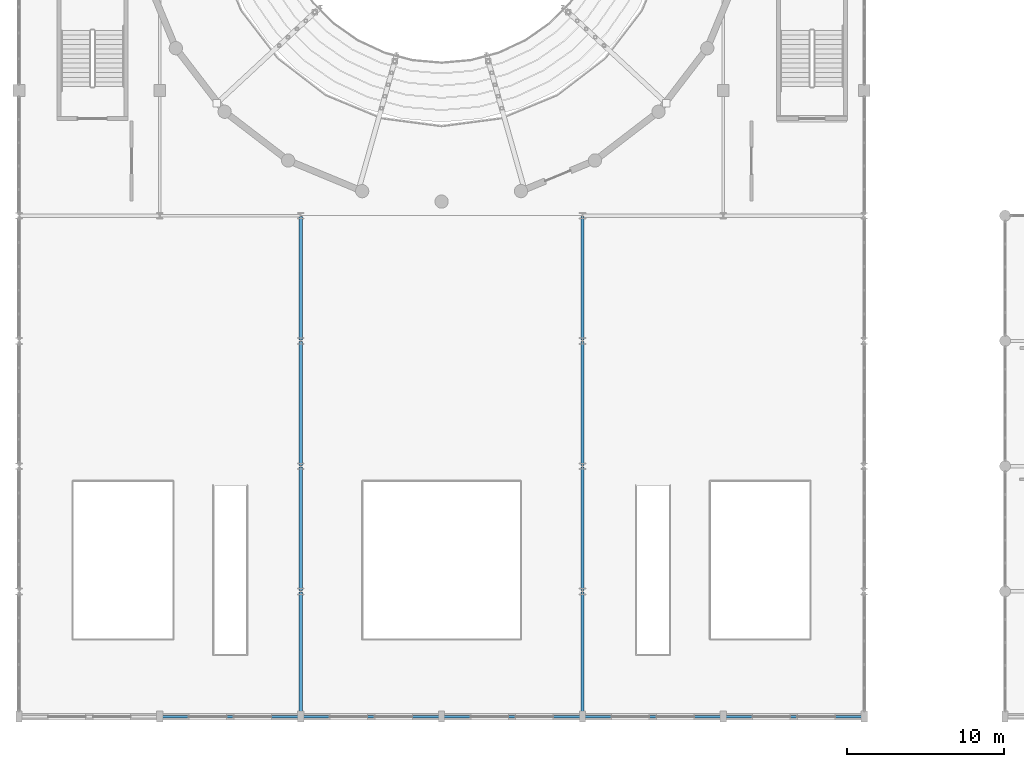
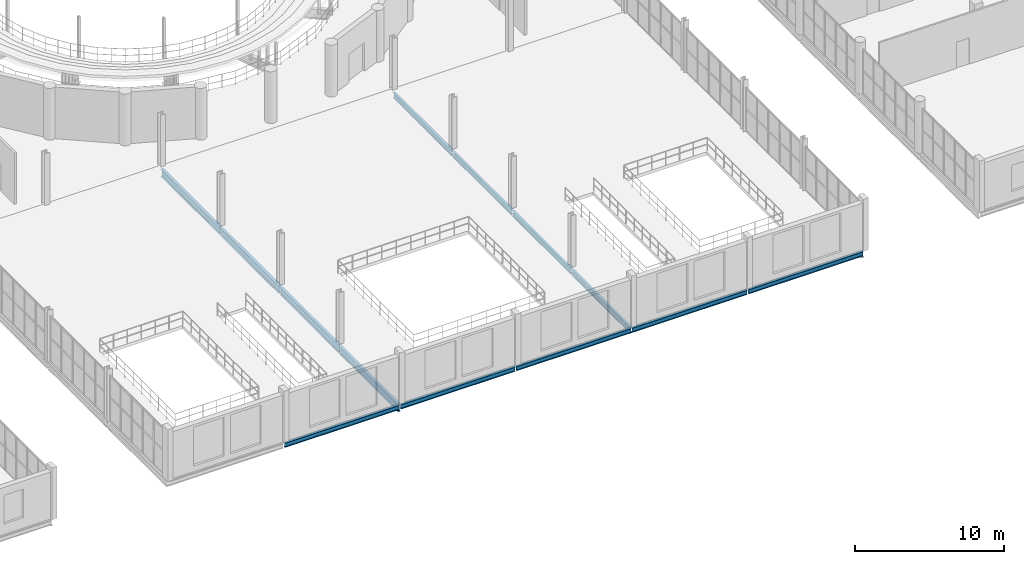
# One storey, part 27 of 85: 13 beams.
"""IFC4 building model written with IfcOpenShell, lengths in metres."""

from ifc_helpers import new_model, si_unit, direction, frame, origin, origin_2d, place, context, subcontext, project, spatial, i_section, extrude, material, material_profile, profile_set, type_object, element, save


model = new_model("IFC4")

# Units and contexts
model_context = context("Model", 3, precision=1e-05, world=origin(), true_north=direction((0.0, 1.0)))
body_context = subcontext(model_context, "Body", "Model", "MODEL_VIEW")
ifc_project = project(units=[si_unit("LENGTHUNIT", "METRE"), si_unit("AREAUNIT", "SQUARE_METRE"), si_unit("VOLUMEUNIT", "CUBIC_METRE"), si_unit("PLANEANGLEUNIT", "RADIAN"), si_unit("MASSUNIT", "GRAM", prefix="KILO")], contexts=[model_context])

# Site, building, storey
site_placement = place(None, origin())
site = spatial("IfcSite", under=ifc_project, at=site_placement, CompositionType="ELEMENT")
building_placement = place(site_placement, origin())
building = spatial("IfcBuilding", under=site, at=building_placement, Name="Marnock Terrace Opera House", CompositionType="ELEMENT")
storey_placement = place(building_placement, frame((0.0, 0.0, 10.199951171875)))
storey = spatial("IfcBuildingStorey", under=building, at=storey_placement, Name="L02", CompositionType="ELEMENT", Elevation=10.199951171875)

# Beams
ifc_material = material(Name="Steel Grade 350 (AS/NZS 3679.1)", Category="steel")
ifc_material_profile_1 = material_profile(ifc_material, i_section(OverallWidth=0.18994140625, OverallDepth=0.45751953125, WebThickness=0.009033203125, FlangeThickness=0.014404296875, FilletRadius=0.011474609375, at=origin_2d()))
ifc_profile_set_1 = profile_set([ifc_material_profile_1], Name="Steel Grade 350 (AS/NZS 3679.1)")
beam_type_1 = type_object("IfcBeamType", Name="BM-GIRD-460B", PredefinedType="BEAM", material=ifc_profile_set_1)
for number, where, z_axis, x_axis, name in (
    (1, (91.0, 8.050048828125, -0.48876953125), (0.0, 1.0, 0.0), (-1.0, 0.0, 0.0), "L02 girder (X=91.0, 8.0..16.0)"),
    (2, (91.0, 16.050048828125, -0.48876953125), (0.0, 1.0, 0.0), (-1.0, 0.0, 0.0), "L02 girder (X=91.0, 16.0..24.0)"),
    (3, (91.0, 24.050048828125, -0.48876953125), (0.0, 1.0, 0.0), (-1.0, 0.0, 0.0), "L02 girder (X=91.0, 24.0..32.0)"),
    (4, (91.0, 32.050048828125, -0.48876953125), (0.0, 1.0, 0.0), (-1.0, 0.0, 0.0), "L02 girder (X=91.0, 32.0..40.0)"),
):
    element("IfcBeam", number, at=place(storey_placement, frame(where, z_axis=z_axis, x_axis=x_axis)), inside=storey, type_object=beam_type_1, Name=name, PredefinedType="BEAM", context=body_context, shape_type="SweptSolid", body=[
        extrude(i_section(OverallWidth=0.18994140625, OverallDepth=0.45751953125, WebThickness=0.009033203125, FlangeThickness=0.014404296875, FilletRadius=0.011474609375, at=origin_2d()), origin(), (0.0, 0.0, 1.0), 7.89990234375),
    ])
ifc_material_profile_2 = material_profile(ifc_material, i_section(OverallWidth=0.22802734375, OverallDepth=0.60205078125, WebThickness=0.010498046875, FlangeThickness=0.014892578125, FilletRadius=0.013916015625, at=origin_2d()))
ifc_profile_set_2 = profile_set([ifc_material_profile_2], Name="Steel Grade 350 (AS/NZS 3679.1)")
beam_type_2 = type_object("IfcBeamType", Name="BM-GIRD-610C", PredefinedType="BEAM", material=ifc_profile_set_2)
for number, where, z_axis, x_axis, name in (
    (5, (73.0, 8.050048828125, -0.56103515625), (0.0, 1.0, 0.0), (-1.0, 0.0, 0.0), "L02 girder (X=73.0, 8.0..16.0)"),
    (6, (73.0, 16.050048828125, -0.56103515625), (0.0, 1.0, 0.0), (-1.0, 0.0, 0.0), "L02 girder (X=73.0, 16.0..24.0)"),
    (7, (73.0, 24.050048828125, -0.56103515625), (0.0, 1.0, 0.0), (-1.0, 0.0, 0.0), "L02 girder (X=73.0, 24.0..32.0)"),
    (8, (73.0, 32.050048828125, -0.56103515625), (0.0, 1.0, 0.0), (-1.0, 0.0, 0.0), "L02 girder (X=73.0, 32.0..40.0)"),
):
    element("IfcBeam", number, at=place(storey_placement, frame(where, z_axis=z_axis, x_axis=x_axis)), inside=storey, type_object=beam_type_2, Name=name, PredefinedType="BEAM", context=body_context, shape_type="SweptSolid", body=[
        extrude(i_section(OverallWidth=0.22802734375, OverallDepth=0.60205078125, WebThickness=0.010498046875, FlangeThickness=0.014892578125, FilletRadius=0.013916015625, at=origin_2d()), origin(), (0.0, 0.0, 1.0), 7.89990234375),
    ])
ifc_material_profile_3 = material_profile(ifc_material, i_section(OverallWidth=0.172119140625, OverallDepth=0.358642578125, WebThickness=0.008056640625, FlangeThickness=0.012939453125, FilletRadius=0.011474609375, at=origin_2d()))
ifc_profile_set_3 = profile_set([ifc_material_profile_3], Name="Steel Grade 350 (AS/NZS 3679.1)")
beam_type_3 = type_object("IfcBeamType", Name="BM-SPAN-360", PredefinedType="SPANDREL", material=ifc_profile_set_3)
for number, where, z_axis, x_axis, name in (
    (9, (64.050048828125, 8.0, -0.439208984375), (1.0, 0.0, 0.0), (0.0, 1.0, 0.0), "L02 girder (64.0..73.0, Y=8.0)"),
    (10, (73.050048828125, 8.0, -0.439208984375), (1.0, 0.0, 0.0), (0.0, 1.0, 0.0), "L02 girder (73.0..82.0, Y=8.0)"),
    (11, (82.050048828125, 8.0, -0.439208984375), (1.0, 0.0, 0.0), (0.0, 1.0, 0.0), "L02 girder (82.0..91.0, Y=8.0)"),
    (12, (91.050048828125, 8.0, -0.439208984375), (1.0, 0.0, 0.0), (0.0, 1.0, 0.0), "L02 girder (91.0..100.0, Y=8.0)"),
    (13, (100.050048828125, 8.0, -0.439208984375), (1.0, 0.0, 0.0), (0.0, 1.0, 0.0), "L02 girder (100.0..109.0, Y=8.0)"),
):
    element("IfcBeam", number, at=place(storey_placement, frame(where, z_axis=z_axis, x_axis=x_axis)), inside=storey, type_object=beam_type_3, Name=name, PredefinedType="SPANDREL", context=body_context, shape_type="SweptSolid", body=[
        extrude(i_section(OverallWidth=0.172119140625, OverallDepth=0.358642578125, WebThickness=0.008056640625, FlangeThickness=0.012939453125, FilletRadius=0.011474609375, at=origin_2d()), origin(), (0.0, 0.0, 1.0), 8.89990234375),
    ])

save(model, "model.ifc")
